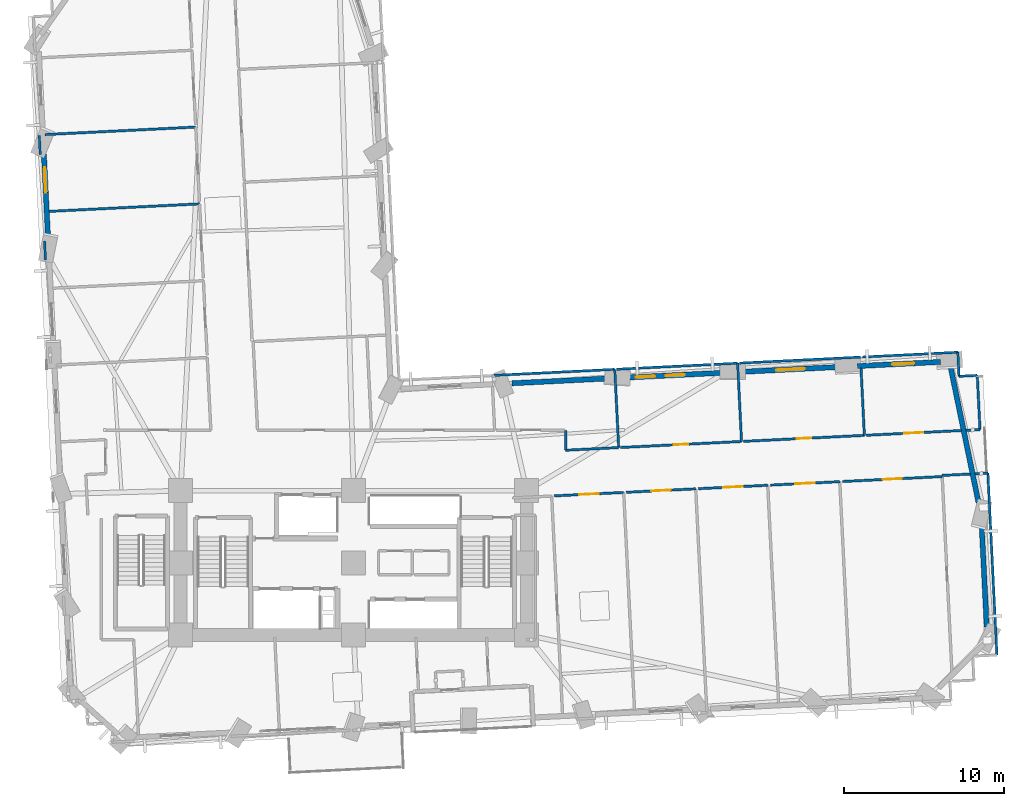
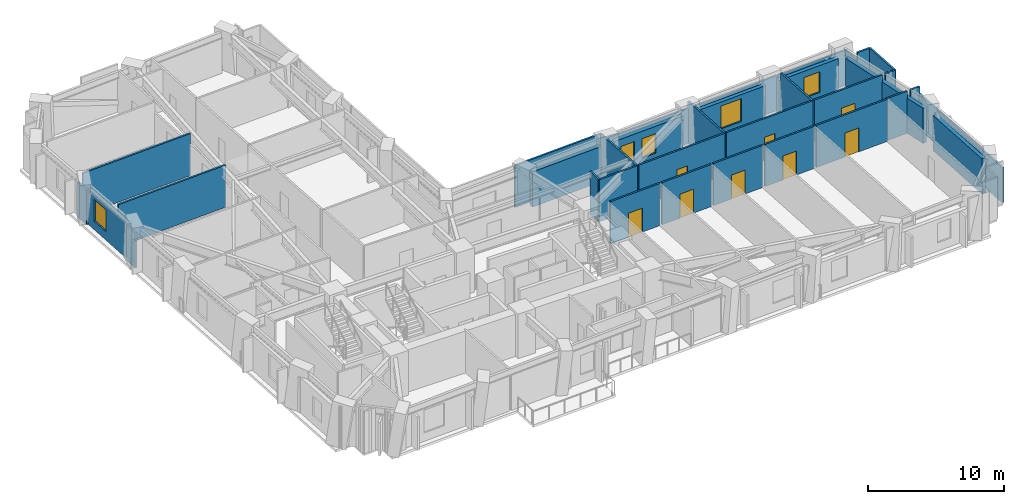
# One storey, part 9 of 15: 35 walls, 8 doors, 5 windows, 13 openings.
"""IFC4 building model written with IfcOpenShell, lengths in metres."""

import ifcopenshell
import ifcopenshell.guid

model = None  # the IFC model being written
_history = None  # IfcOwnerHistory: only IFC2X3 demands one
_inside = {}  # id of a spatial element -> (the spatial element, [elements in it])
_under = {}  # id of a project, library or spatial element -> (it, [spatial elements below it])
_declared = {}  # id of a project -> (the project, [libraries it declares])
_typed = {}  # id of a type object -> (the type object, [elements of that type])
_made_of = {}  # id of a material, layer set ... -> (it, [elements and type objects made of it])


def new_model(schema):
    """Start an empty IFC model of exactly this schema.

    Asked for "IFC4X3", IfcOpenShell would pick the latest addendum, in which some entities
    have other attributes; the version numbers below select the first issue.
    IFC2X3 requires an IfcOwnerHistory on every rooted entity: one is made here for all.
    """
    global model, _history
    if schema == "IFC4X3":
        model = ifcopenshell.file(schema_version=(4, 3, 0, 0))
    else:
        model = ifcopenshell.file(schema=schema)
    _inside.clear()
    _under.clear()
    _declared.clear()
    _typed.clear()
    _made_of.clear()
    _history = None
    if model.schema == "IFC2X3":
        org = make("IfcOrganization", Name="unknown")
        user = make(
            "IfcPersonAndOrganization",
            ThePerson=make("IfcPerson", FamilyName="unknown"),
            TheOrganization=org,
        )
        app = make(
            "IfcApplication",
            ApplicationDeveloper=org,
            Version="unknown",
            ApplicationFullName="unknown",
            ApplicationIdentifier="unknown",
        )
        _history = make(
            "IfcOwnerHistory",
            OwningUser=user,
            OwningApplication=app,
            ChangeAction="ADDED",
            CreationDate=0,
        )
    return model


def make(cls, **values):
    """One entity of the class cls with the attributes given. An attribute that is None is left unset."""
    return model.create_entity(
        cls, **{name: value for name, value in values.items() if value is not None}
    )


def rooted(cls, **values):
    """An entity with a GlobalId (a new one), such as an element, a storey or a relation."""
    return make(cls, GlobalId=ifcopenshell.guid.new(), OwnerHistory=_history, **values)


def si_unit(unit_type, name, prefix=None):
    """IfcSIUnit, for example si_unit("LENGTHUNIT", "METRE", prefix="MILLI")."""
    return make("IfcSIUnit", UnitType=unit_type, Prefix=prefix, Name=name)


def assignment(units):
    """IfcUnitAssignment: the units of a project."""
    return None if units is None else make("IfcUnitAssignment", Units=units)


def point(xyz):
    """IfcCartesianPoint."""
    return None if xyz is None else make("IfcCartesianPoint", Coordinates=xyz)


def direction(xyz):
    """IfcDirection."""
    return None if xyz is None else make("IfcDirection", DirectionRatios=xyz)


def frame(location, z_axis=None, x_axis=None):
    """IfcAxis2Placement3D, a coordinate frame: its origin and axes. An axis left out is left unset."""
    return make(
        "IfcAxis2Placement3D",
        Location=point(location),
        Axis=direction(z_axis),
        RefDirection=direction(x_axis),
    )


def frame_2d(location, x_axis=None):
    """IfcAxis2Placement2D, a coordinate frame in the plane: its origin and x axis."""
    return make(
        "IfcAxis2Placement2D", Location=point(location), RefDirection=direction(x_axis)
    )


def origin():
    """The frame at (0, 0, 0) with its axes left unset."""
    return frame((0.0, 0.0, 0.0))


def place(relative_to, where):
    """IfcLocalPlacement: puts the frame where relative to a parent placement (None: the world)."""
    return make(
        "IfcLocalPlacement", PlacementRelTo=relative_to, RelativePlacement=where
    )


def context(
    kind, dimensions, precision=None, world=None, true_north=None, identifier=None
):
    """IfcGeometricRepresentationContext, for example the 3D "Model" context."""
    return make(
        "IfcGeometricRepresentationContext",
        ContextIdentifier=identifier,
        ContextType=kind,
        CoordinateSpaceDimension=dimensions,
        Precision=precision,
        WorldCoordinateSystem=world,
        TrueNorth=true_north,
    )


def subcontext(parent, identifier, kind, view, scale=None):
    """IfcGeometricRepresentationSubContext, for example "Body" below "Model"."""
    return make(
        "IfcGeometricRepresentationSubContext",
        ContextIdentifier=identifier,
        ContextType=kind,
        ParentContext=parent,
        TargetScale=scale,
        TargetView=view,
    )


def project(units=None, contexts=None):
    """IfcProject with its units and contexts."""
    return rooted(
        "IfcProject",
        Name="project",
        RepresentationContexts=contexts,
        UnitsInContext=assignment(units),
    )


def spatial(cls, under=None, at=None, **own):
    """A site, building, storey or space (cls), placed at a placement, below another one or the project."""
    s = rooted(cls, ObjectPlacement=at, **own)
    if under is not None:
        _under.setdefault(under.id(), (under, []))[1].append(s)
    return s


def profile(cls, at=None, kind="AREA", **sizes):
    """A parametric profile (cls). Its sizes go by their IFC names, for example OverallWidth=200.0."""
    return make(cls, ProfileType=kind, Position=at, **sizes)


def rectangle(**sizes):
    """IfcRectangleProfileDef."""
    return profile("IfcRectangleProfileDef", **sizes)


def extrude(swept, where, along, depth):
    """IfcExtrudedAreaSolid: the profile swept, set in the frame where, extruded along a direction by depth."""
    return make(
        "IfcExtrudedAreaSolid",
        SweptArea=swept,
        Position=where,
        ExtrudedDirection=direction(along),
        Depth=depth,
    )


def shape(context_of_items, identifier, shape_type, items):
    """IfcShapeRepresentation: the items that make up one representation, for example the "Body"."""
    return make(
        "IfcShapeRepresentation",
        ContextOfItems=context_of_items,
        RepresentationIdentifier=identifier,
        RepresentationType=shape_type,
        Items=items,
    )


def material(Name=None, Category=None):
    """IfcMaterial."""
    return make("IfcMaterial", Name=Name, Category=Category)


def layer(
    of_material, thickness, ventilated=None, Name=None, Category=None, Priority=None
):
    """IfcMaterialLayer: one layer of a wall or slab, of a material (None: an air gap)."""
    return make(
        "IfcMaterialLayer",
        Material=of_material,
        LayerThickness=thickness,
        IsVentilated=ventilated,
        Name=Name,
        Category=Category,
        Priority=Priority,
    )


def layer_set(layers, Name=None):
    """IfcMaterialLayerSet."""
    return make("IfcMaterialLayerSet", MaterialLayers=layers, LayerSetName=Name)


def made_of(thing, what):
    """Note that an element or type object is made of a material, layer set ...; save() writes the relation."""
    if what is not None:
        _made_of.setdefault(what.id(), (what, []))[1].append(thing)
    return thing


def type_object(cls, material=None, **own):
    """A type object (cls), such as IfcWallType, which elements share."""
    return made_of(rooted(cls, **own), material)


def element(
    cls,
    number,
    at=None,
    inside=None,
    cuts=None,
    type_object=None,
    material=None,
    context=None,
    identifier="Body",
    shape_type=None,
    held_by="IfcProductDefinitionShape",
    body=None,
    shapes=None,
    **own,
):
    """One element of the class cls, such as IfcWall. Its Tag is "e" and its number.

    at: its placement. inside: the storey or other place that contains it. cuts: it is an
    opening in that element (IfcRelVoidsElement). A single representation is given by context,
    identifier, shape_type and body (its items); several are given by shapes. held_by: the class
    of the entity that holds the representations. save() writes the other relations.
    """
    e = rooted(cls, Tag="e%d" % number, ObjectPlacement=at, **own)
    if body is not None:
        shapes = [shape(context, identifier, shape_type, body)]
    if shapes is not None:
        e.Representation = make(held_by, Representations=shapes)
    if inside is not None:
        _inside.setdefault(inside.id(), (inside, []))[1].append(e)
    if cuts is not None:
        rooted(
            "IfcRelVoidsElement", RelatingBuildingElement=cuts, RelatedOpeningElement=e
        )
    if type_object is not None:
        _typed.setdefault(type_object.id(), (type_object, []))[1].append(e)
    return made_of(e, material)


def fill(opening, filler):
    """IfcRelFillsElement: the door or window that sits in an opening."""
    return rooted(
        "IfcRelFillsElement",
        RelatingOpeningElement=opening,
        RelatedBuildingElement=filler,
    )


def aggregate(whole, parts):
    """IfcRelAggregates: a whole, such as a stair, and the parts it consists of."""
    return rooted("IfcRelAggregates", RelatingObject=whole, RelatedObjects=parts)


def save(model, path):
    """Write the relations noted so far, then the file.

    IfcRelAggregates (storeys below a building ...), IfcRelContainedInSpatialStructure (elements
    in a storey), IfcRelDefinesByType, IfcRelAssociatesMaterial and IfcRelDeclares: one each for
    every whole, place, type object, material and project.
    """
    for whole, parts in _under.values():
        aggregate(whole, parts)
    for where, things in _inside.values():
        rooted(
            "IfcRelContainedInSpatialStructure",
            RelatedElements=things,
            RelatingStructure=where,
        )
    for kind, things in _typed.values():
        rooted("IfcRelDefinesByType", RelatedObjects=things, RelatingType=kind)
    for what, things in _made_of.values():
        rooted("IfcRelAssociatesMaterial", RelatedObjects=things, RelatingMaterial=what)
    for by, libraries in _declared.values():
        rooted("IfcRelDeclares", RelatingContext=by, RelatedDefinitions=libraries)
    model.write(path)


model = new_model("IFC4")

# Units and contexts
model_context = context("Model", 3, precision=1e-05, world=origin(), true_north=direction((0.0, 1.0)))
body_context = subcontext(model_context, "Body", "Model", "MODEL_VIEW")
ifc_project = project(units=[si_unit("LENGTHUNIT", "METRE"), si_unit("AREAUNIT", "SQUARE_METRE"), si_unit("VOLUMEUNIT", "CUBIC_METRE"), si_unit("PLANEANGLEUNIT", "RADIAN"), si_unit("MASSUNIT", "GRAM", prefix="KILO")], contexts=[model_context])

# Site, building, storey
site_placement = place(None, origin())
site = spatial("IfcSite", under=ifc_project, at=site_placement, CompositionType="ELEMENT")
building_placement = place(site_placement, origin())
building = spatial("IfcBuilding", under=site, at=building_placement, Name="Gaonmaruhae Medical Tower", CompositionType="ELEMENT")
storey_placement = place(building_placement, frame((0.0, 0.0, 35.0)))
storey = spatial("IfcBuildingStorey", under=building, at=storey_placement, Name="L07", CompositionType="ELEMENT", Elevation=35.0)

# Walls
ifc_material_1 = material(Name="Precast concrete C45/55", Category="concrete")
ifc_layer_1 = layer(ifc_material_1, 0.320068359375)
ifc_layer_set_1 = layer_set([ifc_layer_1], Name="Precast concrete C45/55")
wall_type_1 = type_object("IfcWallType", Name="EW-320 Lower Precast Masonry-Frame Facade Wall", PredefinedType="SOLIDWALL", material=ifc_layer_set_1)
wall_1_placement = place(storey_placement, frame((63.97998046875, 14.895263671875, 0.0), z_axis=(0.0, 0.0, 1.0), x_axis=(0.049712881396, -0.998763550308, 0.0)))
element("IfcWall", 1, at=wall_1_placement, inside=storey, type_object=wall_type_1, Name="L07 Precast Masonry-Frame Wall E01-E02", PredefinedType="SOLIDWALL", context=body_context, shape_type="SweptSolid", body=[
    extrude(rectangle(XDim=6.610107421875, YDim=0.320068359375, at=frame_2d((3.30517578125, 0.0))), origin(), (0.0, 0.0, 1.0), 3.1650390625),
])
wall_2_placement = place(storey_placement, frame((62.057861328125, 24.49365234375, 0.0), z_axis=(0.0, 0.0, 1.0), x_axis=(0.201776077259, -0.979431679417, 0.0)))
element("IfcWall", 2, at=wall_2_placement, inside=storey, type_object=wall_type_1, Name="L07 Precast Masonry-Frame Wall E02-E03", PredefinedType="SOLIDWALL", context=body_context, shape_type="SweptSolid", body=[
    extrude(rectangle(XDim=8.61376953125, YDim=0.320068359375, at=frame_2d((4.306884765625, 0.0))), origin(), (0.0, 0.0, 1.0), 3.1650390625),
])

# Wall, opening, window
wall_3_placement = place(storey_placement, frame((56.228759765625, 24.574951171875, 0.0), z_axis=(0.0, 0.0, 1.0), x_axis=(0.998762835783, 0.049727234574, 0.0)))
wall_3 = element("IfcWall", 3, at=wall_3_placement, inside=storey, type_object=wall_type_1, Name="L07 Precast Masonry-Frame Wall E03-EN01", PredefinedType="SOLIDWALL", context=body_context, shape_type="SweptSolid", body=[
    extrude(rectangle(XDim=5.208984375, YDim=0.320068359375, at=frame_2d((2.6044921875, 0.0))), origin(), (0.0, 0.0, 1.0), 3.1650390625),
])
opening_1_placement = place(wall_3_placement, frame((2.172119140625, 0.0, 0.75)))
opening_1 = element("IfcOpeningElement", 4, at=opening_1_placement, cuts=wall_3, Name="Opening WN-03", PredefinedType="OPENING", context=body_context, shape_type="SweptSolid", body=[
    extrude(rectangle(XDim=1.39990234375, YDim=1.85009765625, at=frame_2d((0.699951171875, 0.925048828125))), frame((0.0, 0.169921875, 0.0), z_axis=(0.0, -1.0, 0.0), x_axis=(1.0, 0.0, 0.0)), (0.0, 0.0, 1.0), 0.340087890625),
])
ifc_material_2 = material(Name="Anodised aluminium and Low-E double glazing", Category="aluminium")
window_type_1 = type_object("IfcWindowType", Name="WN-03 Isolation Ward Punched Window 1400x1850", PartitioningType="SINGLE_PANEL", PredefinedType="WINDOW", material=ifc_material_2)
window_1_placement = place(opening_1_placement, origin())
window_1 = element("IfcWindow", 5, at=window_1_placement, inside=storey, type_object=window_type_1, Name="L07 Modular Facade Window E03", OverallHeight=1.85009765625, OverallWidth=1.39990234375, PartitioningType="SINGLE_PANEL", PredefinedType="WINDOW", context=body_context, shape_type="SweptSolid", body=[
    extrude(rectangle(XDim=1.39990234375, YDim=1.85009765625, at=frame_2d((0.699951171875, 0.925048828125))), frame((0.0, 0.030029296875, 0.0), z_axis=(0.0, -1.0, 0.0), x_axis=(1.0, 0.0, 0.0)), (0.0, 0.0, 1.0), 0.06005859375),
])
fill(opening_1, window_1)

wall_4_placement = place(storey_placement, frame((49.0537109375, 24.2177734375, 0.0), z_axis=(0.0, 0.0, 1.0), x_axis=(0.998764939735, 0.049684959063, 0.0)))
wall_4 = element("IfcWall", 6, at=wall_4_placement, inside=storey, type_object=wall_type_1, Name="L07 Precast Masonry-Frame Wall EN01-EN02", PredefinedType="SOLIDWALL", context=body_context, shape_type="SweptSolid", body=[
    extrude(rectangle(XDim=6.024169921875, YDim=0.320068359375, at=frame_2d((3.01220703125, 0.0))), origin(), (0.0, 0.0, 1.0), 3.1650390625),
])
opening_2_placement = place(wall_4_placement, frame((2.108642578125, 0.0, 0.75)))
opening_2 = element("IfcOpeningElement", 7, at=opening_2_placement, cuts=wall_4, Name="Opening WN-04", PredefinedType="OPENING", context=body_context, shape_type="SweptSolid", body=[
    extrude(rectangle(XDim=1.800048828125, YDim=2.050048828125, at=frame_2d((0.89990234375, 1.02490234375))), frame((0.0, 0.169921875, 0.0), z_axis=(0.0, -1.0, 0.0), x_axis=(1.0, 0.0, 0.0)), (0.0, 0.0, 1.0), 0.340087890625),
])
window_type_2 = type_object("IfcWindowType", Name="WN-04 Clinic & Consult Punched Window 1800x2050", PartitioningType="SINGLE_PANEL", PredefinedType="WINDOW", material=ifc_material_2)
window_2_placement = place(opening_2_placement, origin())
window_2 = element("IfcWindow", 8, at=window_2_placement, inside=storey, type_object=window_type_2, Name="L07 Modular Facade Window EN01", OverallHeight=2.050048828125, OverallWidth=1.800048828125, PartitioningType="SINGLE_PANEL", PredefinedType="WINDOW", context=body_context, shape_type="SweptSolid", body=[
    extrude(rectangle(XDim=1.800048828125, YDim=2.050048828125, at=frame_2d((0.89990234375, 1.02490234375))), frame((0.0, 0.030029296875, 0.0), z_axis=(0.0, -1.0, 0.0), x_axis=(1.0, 0.0, 0.0)), (0.0, 0.0, 1.0), 0.06005859375),
])
fill(opening_2, window_2)

# Wall, openings, windows
wall_5_placement = place(storey_placement, frame((41.872314453125, 23.860107421875, 0.0), z_axis=(0.0, 0.0, 1.0), x_axis=(0.998762870305, 0.049726541212, 0.0)))
wall_5 = element("IfcWall", 9, at=wall_5_placement, inside=storey, type_object=wall_type_1, Name="L07 Precast Masonry-Frame Wall EN02-EN03", PredefinedType="SOLIDWALL", context=body_context, shape_type="SweptSolid", body=[
    extrude(rectangle(XDim=5.99951171875, YDim=0.320068359375, at=frame_2d((2.999755859375, 0.0))), origin(), (0.0, 0.0, 1.0), 3.1650390625),
])
opening_3_placement = place(wall_5_placement, frame((2.397705078125, 0.0, 0.75)))
opening_3 = element("IfcOpeningElement", 10, at=opening_3_placement, cuts=wall_5, Name="Opening WN-05", PredefinedType="OPENING", context=body_context, shape_type="SweptSolid", body=[
    extrude(rectangle(XDim=1.199951171875, YDim=1.75, at=frame_2d((0.60009765625, 0.875))), frame((0.0, 0.169921875, 0.0), z_axis=(0.0, -1.0, 0.0), x_axis=(1.0, 0.0, 0.0)), (0.0, 0.0, 1.0), 0.340087890625),
])
opening_4_placement = place(wall_5_placement, frame((0.53466796875, 0.0, 0.75)))
opening_4 = element("IfcOpeningElement", 11, at=opening_4_placement, cuts=wall_5, Name="Opening WN-05", PredefinedType="OPENING", context=body_context, shape_type="SweptSolid", body=[
    extrude(rectangle(XDim=1.199951171875, YDim=1.75, at=frame_2d((0.60009765625, 0.875))), frame((0.0, 0.169921875, 0.0), z_axis=(0.0, -1.0, 0.0), x_axis=(1.0, 0.0, 0.0)), (0.0, 0.0, 1.0), 0.340087890625),
])
window_type_3 = type_object("IfcWindowType", Name="WN-05 Support & Staff Punched Window 1200x1750", PartitioningType="SINGLE_PANEL", PredefinedType="WINDOW", material=ifc_material_2)
window_3_placement = place(opening_3_placement, origin())
window_3 = element("IfcWindow", 12, at=window_3_placement, inside=storey, type_object=window_type_3, Name="L07 Modular Facade Window EN02", OverallHeight=1.75, OverallWidth=1.199951171875, PartitioningType="SINGLE_PANEL", PredefinedType="WINDOW", context=body_context, shape_type="SweptSolid", body=[
    extrude(rectangle(XDim=1.199951171875, YDim=1.75, at=frame_2d((0.60009765625, 0.875))), frame((0.0, 0.030029296875, 0.0), z_axis=(0.0, -1.0, 0.0), x_axis=(1.0, 0.0, 0.0)), (0.0, 0.0, 1.0), 0.06005859375),
])
fill(opening_3, window_3)
window_4_placement = place(opening_4_placement, origin())
window_4 = element("IfcWindow", 13, at=window_4_placement, inside=storey, type_object=window_type_3, Name="L07 Modular Facade Window EN02B", OverallHeight=1.75, OverallWidth=1.199951171875, PartitioningType="SINGLE_PANEL", PredefinedType="WINDOW", context=body_context, shape_type="SweptSolid", body=[
    extrude(rectangle(XDim=1.199951171875, YDim=1.75, at=frame_2d((0.60009765625, 0.875))), frame((0.0, 0.030029296875, 0.0), z_axis=(0.0, -1.0, 0.0), x_axis=(1.0, 0.0, 0.0)), (0.0, 0.0, 1.0), 0.06005859375),
])
fill(opening_4, window_4)

# Wall
wall_6_placement = place(storey_placement, frame((34.684814453125, 23.502197265625, 0.0), z_axis=(0.0, 0.0, 1.0), x_axis=(0.99876177808, 0.049748473819, 0.0)))
element("IfcWall", 14, at=wall_6_placement, inside=storey, type_object=wall_type_1, Name="L07 Precast Masonry-Frame Wall EN03-EN04", PredefinedType="SOLIDWALL", context=body_context, shape_type="SweptSolid", body=[
    extrude(rectangle(XDim=5.987060546875, YDim=0.320068359375, at=frame_2d((2.99365234375, 0.0))), origin(), (0.0, 0.0, 1.0), 3.1650390625),
])

# Wall, opening, window
wall_7_placement = place(storey_placement, frame((5.73779296875, 32.39990234375, 0.0), z_axis=(0.0, 0.0, 1.0), x_axis=(-0.049773021821, 0.998760555037, 0.0)))
wall_7 = element("IfcWall", 15, at=wall_7_placement, inside=storey, type_object=wall_type_1, Name="L07 Precast Masonry-Frame Wall W02-W03", PredefinedType="SOLIDWALL", context=body_context, shape_type="SweptSolid", body=[
    extrude(rectangle(XDim=5.400390625, YDim=0.320068359375, at=frame_2d((2.7001953125, 0.0))), origin(), (0.0, 0.0, 1.0), 3.1650390625),
])
opening_5_placement = place(wall_7_placement, frame((2.99462890625, 0.0, 0.75)))
opening_5 = element("IfcOpeningElement", 16, at=opening_5_placement, cuts=wall_7, Name="Opening WN-01", PredefinedType="OPENING", context=body_context, shape_type="SweptSolid", body=[
    extrude(rectangle(XDim=1.60009765625, YDim=1.949951171875, at=frame_2d((0.800048828125, 0.97509765625))), frame((0.0, 0.169921875, 0.0), z_axis=(0.0, -1.0, 0.0), x_axis=(1.0, 0.0, 0.0)), (0.0, 0.0, 1.0), 0.340087890625),
])
window_type_4 = type_object("IfcWindowType", Name="WN-01 Ward Punched Acoustic Window 1600x1950", PartitioningType="SINGLE_PANEL", PredefinedType="WINDOW", material=ifc_material_2)
window_5_placement = place(opening_5_placement, origin())
window_5 = element("IfcWindow", 17, at=window_5_placement, inside=storey, type_object=window_type_4, Name="L07 Modular Facade Window W02", OverallHeight=1.949951171875, OverallWidth=1.60009765625, PartitioningType="SINGLE_PANEL", PredefinedType="WINDOW", context=body_context, shape_type="SweptSolid", body=[
    extrude(rectangle(XDim=1.60009765625, YDim=1.949951171875, at=frame_2d((0.800048828125, 0.97509765625))), frame((0.0, 0.030029296875, 0.0), z_axis=(0.0, -1.0, 0.0), x_axis=(1.0, 0.0, 0.0)), (0.0, 0.0, 1.0), 0.06005859375),
])
fill(opening_5, window_5)

# Wall, opening, door
ifc_material_3 = material(Name="Gypsum board partition", Category="gypsum")
ifc_layer_2 = layer(ifc_material_3, 0.14990234375)
ifc_layer_set_2 = layer_set([ifc_layer_2], Name="Gypsum board partition")
wall_type_2 = type_object("IfcWallType", Name="PW-150 Rated Clinical Corridor Partition", PredefinedType="PARTITIONING", material=ifc_layer_set_2)
wall_8_placement = place(storey_placement, frame((37.319091796875, 16.47509765625, 0.0), z_axis=(0.0, 0.0, 1.0), x_axis=(0.99877357427, 0.049511082997, 0.0)))
wall_8 = element("IfcWall", 18, at=wall_8_placement, inside=storey, type_object=wall_type_2, Name="L07 Interior Partition L07-SUP08-35", PredefinedType="PARTITIONING", context=body_context, shape_type="SweptSolid", body=[
    extrude(rectangle(XDim=4.33935546875, YDim=0.14990234375, at=frame_2d((2.169677734375, 0.0))), origin(), (0.0, 0.0, 1.0), 3.780029296875),
])
opening_6_placement = place(wall_8_placement, frame((1.569580078125, 0.0, 0.0)))
opening_6 = element("IfcOpeningElement", 19, at=opening_6_placement, cuts=wall_8, Name="Opening CD-02", PredefinedType="OPENING", context=body_context, shape_type="SweptSolid", body=[
    extrude(rectangle(XDim=1.199951171875, YDim=2.14990234375, at=frame_2d((0.60009765625, 1.074951171875))), frame((0.0, 0.0849609375, 0.0), z_axis=(0.0, -1.0, 0.0), x_axis=(1.0, 0.0, 0.0)), (0.0, 0.0, 1.0), 0.169921875),
])
ifc_material_4 = material(Name="Antimicrobial laminate timber fire door", Category="wood")
door_type_1 = type_object("IfcDoorType", Name="CD-02 Clinical Treatment & Procedure Door 1200x2150", OperationType="NOTDEFINED", PredefinedType="DOOR", material=ifc_material_4)
door_1_placement = place(opening_6_placement, origin())
door_1 = element("IfcDoor", 20, at=door_1_placement, inside=storey, type_object=door_type_1, Name="L07 Clinical Biomedical Charting Office Door", OperationType="SINGLE_SWING_RIGHT", OverallHeight=2.14990234375, OverallWidth=1.199951171875, PredefinedType="DOOR", context=body_context, shape_type="SweptSolid", body=[
    extrude(rectangle(XDim=1.199951171875, YDim=2.14990234375, at=frame_2d((0.60009765625, 1.074951171875))), frame((0.0, 0.02490234375, 0.0), z_axis=(0.0, -1.0, 0.0), x_axis=(1.0, 0.0, 0.0)), (0.0, 0.0, 1.0), 0.050048828125),
])
fill(opening_6, door_1)

wall_9_placement = place(storey_placement, frame((41.81298828125, 16.697998046875, 0.0), z_axis=(0.0, 0.0, 1.0), x_axis=(0.998760181767, 0.049780511425, 0.0)))
wall_9 = element("IfcWall", 21, at=wall_9_placement, inside=storey, type_object=wall_type_2, Name="L07 Interior Partition L07-SUP09-38", PredefinedType="PARTITIONING", context=body_context, shape_type="SweptSolid", body=[
    extrude(rectangle(XDim=4.34033203125, YDim=0.14990234375, at=frame_2d((2.170166015625, 0.0))), origin(), (0.0, 0.0, 1.0), 3.780029296875),
])
opening_7_placement = place(wall_9_placement, frame((1.5703125, 0.0, 0.0)))
opening_7 = element("IfcOpeningElement", 22, at=opening_7_placement, cuts=wall_9, Name="Opening CD-02", PredefinedType="OPENING", context=body_context, shape_type="SweptSolid", body=[
    extrude(rectangle(XDim=1.199951171875, YDim=2.14990234375, at=frame_2d((0.60009765625, 1.074951171875))), frame((0.0, 0.0849609375, 0.0), z_axis=(0.0, -1.0, 0.0), x_axis=(1.0, 0.0, 0.0)), (0.0, 0.0, 1.0), 0.169921875),
])
door_2_placement = place(opening_7_placement, origin())
door_2 = element("IfcDoor", 23, at=door_2_placement, inside=storey, type_object=door_type_1, Name="L07 Clinical Biomedical Charting Office Door", OperationType="SINGLE_SWING_LEFT", OverallHeight=2.14990234375, OverallWidth=1.199951171875, PredefinedType="DOOR", context=body_context, shape_type="SweptSolid", body=[
    extrude(rectangle(XDim=1.199951171875, YDim=2.14990234375, at=frame_2d((0.60009765625, 1.074951171875))), frame((0.0, 0.02490234375, 0.0), z_axis=(0.0, -1.0, 0.0), x_axis=(1.0, 0.0, 0.0)), (0.0, 0.0, 1.0), 0.050048828125),
])
fill(opening_7, door_2)

wall_10_placement = place(storey_placement, frame((46.306884765625, 16.922119140625, 0.0), z_axis=(0.0, 0.0, 1.0), x_axis=(0.998763115904, 0.049721608068, 0.0)))
wall_10 = element("IfcWall", 24, at=wall_10_placement, inside=storey, type_object=wall_type_2, Name="L07 Interior Partition L07-SUP10-41", PredefinedType="PARTITIONING", context=body_context, shape_type="SweptSolid", body=[
    extrude(rectangle(XDim=4.340576171875, YDim=0.14990234375, at=frame_2d((2.17041015625, 0.0))), origin(), (0.0, 0.0, 1.0), 3.780029296875),
])
opening_8_placement = place(wall_10_placement, frame((1.5703125, 0.0, 0.0)))
opening_8 = element("IfcOpeningElement", 25, at=opening_8_placement, cuts=wall_10, Name="Opening CD-02", PredefinedType="OPENING", context=body_context, shape_type="SweptSolid", body=[
    extrude(rectangle(XDim=1.199951171875, YDim=2.14990234375, at=frame_2d((0.60009765625, 1.074951171875))), frame((0.0, 0.0849609375, 0.0), z_axis=(0.0, -1.0, 0.0), x_axis=(1.0, 0.0, 0.0)), (0.0, 0.0, 1.0), 0.169921875),
])
door_3_placement = place(opening_8_placement, origin())
door_3 = element("IfcDoor", 26, at=door_3_placement, inside=storey, type_object=door_type_1, Name="L07 Clinical Biomedical Charting Office Door", OperationType="SINGLE_SWING_RIGHT", OverallHeight=2.14990234375, OverallWidth=1.199951171875, PredefinedType="DOOR", context=body_context, shape_type="SweptSolid", body=[
    extrude(rectangle(XDim=1.199951171875, YDim=2.14990234375, at=frame_2d((0.60009765625, 1.074951171875))), frame((0.0, 0.02490234375, 0.0), z_axis=(0.0, -1.0, 0.0), x_axis=(1.0, 0.0, 0.0)), (0.0, 0.0, 1.0), 0.050048828125),
])
fill(opening_8, door_3)

wall_11_placement = place(storey_placement, frame((50.802001953125, 17.14599609375, 0.0), z_axis=(0.0, 0.0, 1.0), x_axis=(0.998759624014, 0.049791700499, 0.0)))
wall_11 = element("IfcWall", 27, at=wall_11_placement, inside=storey, type_object=wall_type_2, Name="L07 Interior Partition L07-SUP11-43", PredefinedType="PARTITIONING", context=body_context, shape_type="SweptSolid", body=[
    extrude(rectangle(XDim=4.33935546875, YDim=0.14990234375, at=frame_2d((2.169677734375, 0.0))), origin(), (0.0, 0.0, 1.0), 3.780029296875),
])
opening_9_placement = place(wall_11_placement, frame((1.569580078125, 0.0, 0.0)))
opening_9 = element("IfcOpeningElement", 28, at=opening_9_placement, cuts=wall_11, Name="Opening CD-02", PredefinedType="OPENING", context=body_context, shape_type="SweptSolid", body=[
    extrude(rectangle(XDim=1.199951171875, YDim=2.14990234375, at=frame_2d((0.60009765625, 1.074951171875))), frame((0.0, 0.0849609375, 0.0), z_axis=(0.0, -1.0, 0.0), x_axis=(1.0, 0.0, 0.0)), (0.0, 0.0, 1.0), 0.169921875),
])
door_4_placement = place(opening_9_placement, origin())
door_4 = element("IfcDoor", 29, at=door_4_placement, inside=storey, type_object=door_type_1, Name="L07 Clinical Biomedical Charting Office Door", OperationType="SINGLE_SWING_RIGHT", OverallHeight=2.14990234375, OverallWidth=1.199951171875, PredefinedType="DOOR", context=body_context, shape_type="SweptSolid", body=[
    extrude(rectangle(XDim=1.199951171875, YDim=2.14990234375, at=frame_2d((0.60009765625, 1.074951171875))), frame((0.0, 0.02490234375, 0.0), z_axis=(0.0, -1.0, 0.0), x_axis=(1.0, 0.0, 0.0)), (0.0, 0.0, 1.0), 0.050048828125),
])
fill(opening_9, door_4)

wall_12_placement = place(storey_placement, frame((55.2958984375, 17.3701171875, 0.0), z_axis=(0.0, 0.0, 1.0), x_axis=(0.998767026312, 0.049642996999, 0.0)))
wall_12 = element("IfcWall", 30, at=wall_12_placement, inside=storey, type_object=wall_type_2, Name="L07 Interior Partition L07-SUP12-47", PredefinedType="PARTITIONING", context=body_context, shape_type="SweptSolid", body=[
    extrude(rectangle(XDim=6.240966796875, YDim=0.14990234375, at=frame_2d((3.12060546875, 0.0))), origin(), (0.0, 0.0, 1.0), 3.780029296875),
])
opening_10_placement = place(wall_12_placement, frame((2.5205078125, 0.0, 0.0)))
opening_10 = element("IfcOpeningElement", 31, at=opening_10_placement, cuts=wall_12, Name="Opening CD-02", PredefinedType="OPENING", context=body_context, shape_type="SweptSolid", body=[
    extrude(rectangle(XDim=1.199951171875, YDim=2.14990234375, at=frame_2d((0.60009765625, 1.074951171875))), frame((0.0, 0.0849609375, 0.0), z_axis=(0.0, -1.0, 0.0), x_axis=(1.0, 0.0, 0.0)), (0.0, 0.0, 1.0), 0.169921875),
])
door_5_placement = place(opening_10_placement, origin())
door_5 = element("IfcDoor", 32, at=door_5_placement, inside=storey, type_object=door_type_1, Name="L07 Clinical Biomedical Charting Office Door", OperationType="SINGLE_SWING_LEFT", OverallHeight=2.14990234375, OverallWidth=1.199951171875, PredefinedType="DOOR", context=body_context, shape_type="SweptSolid", body=[
    extrude(rectangle(XDim=1.199951171875, YDim=2.14990234375, at=frame_2d((0.60009765625, 1.074951171875))), frame((0.0, 0.02490234375, 0.0), z_axis=(0.0, -1.0, 0.0), x_axis=(1.0, 0.0, 0.0)), (0.0, 0.0, 1.0), 0.050048828125),
])
fill(opening_10, door_5)

# Walls
wall_13_placement = place(storey_placement, frame((5.781982421875, 34.22802734375, 0.0), z_axis=(0.0, 0.0, 1.0), x_axis=(0.998758474734, 0.049814748279, 0.0)))
element("IfcWall", 33, at=wall_13_placement, inside=storey, type_object=wall_type_2, Name="L07 Interior Partition L07-WOF16-61", PredefinedType="PARTITIONING", context=body_context, shape_type="SweptSolid", body=[
    extrude(rectangle(XDim=9.414794921875, YDim=0.14990234375, at=frame_2d((4.70751953125, 0.0))), origin(), (0.0, 0.0, 1.0), 3.780029296875),
])
wall_14_placement = place(storey_placement, frame((5.568115234375, 31.181884765625, 0.0), z_axis=(0.0, 0.0, 1.0), x_axis=(-0.049735941488, 0.998762402238, 0.0)))
element("IfcWall", 34, at=wall_14_placement, inside=storey, type_object=wall_type_2, Name="L07 Interior Partition L07-WOF16-63", PredefinedType="PARTITIONING", context=body_context, shape_type="SweptSolid", body=[
    extrude(rectangle(XDim=1.20751953125, YDim=0.14990234375, at=frame_2d((0.603759765625, 0.0))), origin(), (0.0, 0.0, 1.0), 3.1650390625),
])
wall_15_placement = place(storey_placement, frame((5.54296875, 39.02197265625, 0.0), z_axis=(0.0, 0.0, 1.0), x_axis=(0.998758474734, 0.049814748279, 0.0)))
element("IfcWall", 35, at=wall_15_placement, inside=storey, type_object=wall_type_2, Name="L07 Interior Partition L07-WOF17-64", PredefinedType="PARTITIONING", context=body_context, shape_type="SweptSolid", body=[
    extrude(rectangle(XDim=9.414794921875, YDim=0.14990234375, at=frame_2d((4.70751953125, 0.0))), origin(), (0.0, 0.0, 1.0), 3.780029296875),
])
wall_16_placement = place(storey_placement, frame((5.239990234375, 37.781982421875, 0.0), z_axis=(0.0, 0.0, 1.0), x_axis=(-0.049630753106, 0.998767634811, 0.0)))
element("IfcWall", 36, at=wall_16_placement, inside=storey, type_object=wall_type_2, Name="L07 Interior Partition L07-WOF17-66", PredefinedType="PARTITIONING", context=body_context, shape_type="SweptSolid", body=[
    extrude(rectangle(XDim=1.1904296875, YDim=0.14990234375, at=frame_2d((0.59521484375, 0.0))), origin(), (0.0, 0.0, 1.0), 3.1650390625),
])
wall_17_placement = place(storey_placement, frame((33.549072265625, 23.99609375, 0.0), z_axis=(0.0, 0.0, 1.0), x_axis=(0.998761346761, 0.049757132311, 0.0)))
element("IfcWall", 37, at=wall_17_placement, inside=storey, type_object=wall_type_2, Name="L07 Interior Partition L07-IE03-86", PredefinedType="PARTITIONING", context=body_context, shape_type="SweptSolid", body=[
    extrude(rectangle(XDim=7.55615234375, YDim=0.14990234375, at=frame_2d((3.778076171875, 0.0))), origin(), (0.0, 0.0, 1.0), 3.780029296875),
])
wall_18_placement = place(storey_placement, frame((41.095947265625, 24.3720703125, 0.0), z_axis=(0.0, 0.0, 1.0), x_axis=(0.04972596089, -0.998762899198, 0.0)))
element("IfcWall", 38, at=wall_18_placement, inside=storey, type_object=wall_type_2, Name="L07 Interior Partition L07-IE03-87", PredefinedType="PARTITIONING", context=body_context, shape_type="SweptSolid", body=[
    extrude(rectangle(XDim=4.89013671875, YDim=0.14990234375, at=frame_2d((2.445068359375, 0.0))), origin(), (0.0, 0.0, 1.0), 3.780029296875),
])
wall_19_placement = place(storey_placement, frame((41.339111328125, 19.488037109375, 0.0), z_axis=(0.0, 0.0, 1.0), x_axis=(-0.998758578868, -0.049812660419, 0.0)))
element("IfcWall", 39, at=wall_19_placement, inside=storey, type_object=wall_type_2, Name="L07 Interior Partition L07-IE03-88", PredefinedType="PARTITIONING", context=body_context, shape_type="SweptSolid", body=[
    extrude(rectangle(XDim=3.313232421875, YDim=0.14990234375, at=frame_2d((1.65673828125, 0.0))), origin(), (0.0, 0.0, 1.0), 3.780029296875),
])
wall_20_placement = place(storey_placement, frame((38.030029296875, 19.322998046875, 0.0), z_axis=(0.0, 0.0, 1.0), x_axis=(0.0, 1.0, 0.0)))
element("IfcWall", 40, at=wall_20_placement, inside=storey, type_object=wall_type_2, Name="L07 Interior Partition L07-IE03-89", PredefinedType="PARTITIONING", context=body_context, shape_type="SweptSolid", body=[
    extrude(rectangle(XDim=1.22998046875, YDim=0.14990234375, at=frame_2d((0.614990234375, 0.0))), origin(), (0.0, 0.0, 1.0), 3.780029296875),
])

# Wall, opening, door
wall_21_placement = place(storey_placement, frame((49.0048828125, 19.8701171875, 0.0), z_axis=(0.0, 0.0, 1.0), x_axis=(-0.998759420147, -0.049795789648, 0.0)))
wall_21 = element("IfcWall", 41, at=wall_21_placement, inside=storey, type_object=wall_type_2, Name="L07 Interior Partition L07-IE04-90", PredefinedType="PARTITIONING", context=body_context, shape_type="SweptSolid", body=[
    extrude(rectangle(XDim=7.55517578125, YDim=0.14990234375, at=frame_2d((3.777587890625, 0.0))), origin(), (0.0, 0.0, 1.0), 3.780029296875),
])
opening_11_placement = place(wall_21_placement, frame((3.317626953125, 0.0, 0.0)))
opening_11 = element("IfcOpeningElement", 42, at=opening_11_placement, cuts=wall_21, Name="Opening UD-01", PredefinedType="OPENING", context=body_context, shape_type="SweptSolid", body=[
    extrude(rectangle(XDim=0.919921875, YDim=2.10009765625, at=frame_2d((0.4599609375, 1.050048828125))), frame((0.0, 0.0849609375, 0.0), z_axis=(0.0, -1.0, 0.0), x_axis=(1.0, 0.0, 0.0)), (0.0, 0.0, 1.0), 0.169921875),
])
ifc_material_5 = material(Name="Powder-coated steel utility door", Category="steel")
door_type_2 = type_object("IfcDoorType", Name="UD-01 Toilet, Utility & Housekeeping Door 920x2100", OperationType="NOTDEFINED", PredefinedType="DOOR", material=ifc_material_5)
door_6_placement = place(opening_11_placement, origin())
door_6 = element("IfcDoor", 43, at=door_6_placement, inside=storey, type_object=door_type_2, Name="L07 Accessible Public Toilet Door", OperationType="SINGLE_SWING_RIGHT", OverallHeight=2.10009765625, OverallWidth=0.919921875, PredefinedType="DOOR", context=body_context, shape_type="SweptSolid", body=[
    extrude(rectangle(XDim=0.919921875, YDim=2.10009765625, at=frame_2d((0.4599609375, 1.050048828125))), frame((0.0, 0.02490234375, 0.0), z_axis=(0.0, -1.0, 0.0), x_axis=(1.0, 0.0, 0.0)), (0.0, 0.0, 1.0), 0.050048828125),
])
fill(opening_11, door_6)

# Walls
wall_22_placement = place(storey_placement, frame((41.215087890625, 24.3779296875, 0.0), z_axis=(0.0, 0.0, 1.0), x_axis=(0.998761346761, 0.049757132311, 0.0)))
element("IfcWall", 44, at=wall_22_placement, inside=storey, type_object=wall_type_2, Name="L07 Interior Partition L07-IE04-91", PredefinedType="PARTITIONING", context=body_context, shape_type="SweptSolid", body=[
    extrude(rectangle(XDim=7.55615234375, YDim=0.14990234375, at=frame_2d((3.778076171875, 0.0))), origin(), (0.0, 0.0, 1.0), 3.1650390625),
])
wall_23_placement = place(storey_placement, frame((48.761962890625, 24.75390625, 0.0), z_axis=(0.0, 0.0, 1.0), x_axis=(0.049678635673, -0.99876525428, 0.0)))
element("IfcWall", 45, at=wall_23_placement, inside=storey, type_object=wall_type_2, Name="L07 Interior Partition L07-IE04-92", PredefinedType="PARTITIONING", context=body_context, shape_type="SweptSolid", body=[
    extrude(rectangle(XDim=4.889892578125, YDim=0.14990234375, at=frame_2d((2.44482421875, 0.0))), origin(), (0.0, 0.0, 1.0), 3.780029296875),
])

# Wall, opening, door
wall_24_placement = place(storey_placement, frame((56.6708984375, 20.2509765625, 0.0), z_axis=(0.0, 0.0, 1.0), x_axis=(-0.998767442719, -0.049634618611, 0.0)))
wall_24 = element("IfcWall", 46, at=wall_24_placement, inside=storey, type_object=wall_type_2, Name="L07 Interior Partition L07-IE05-93", PredefinedType="PARTITIONING", context=body_context, shape_type="SweptSolid", body=[
    extrude(rectangle(XDim=7.55517578125, YDim=0.14990234375, at=frame_2d((3.777587890625, 0.0))), origin(), (0.0, 0.0, 1.0), 3.780029296875),
])
opening_12_placement = place(wall_24_placement, frame((3.317626953125, 0.0, 0.0)))
opening_12 = element("IfcOpeningElement", 47, at=opening_12_placement, cuts=wall_24, Name="Opening UD-01", PredefinedType="OPENING", context=body_context, shape_type="SweptSolid", body=[
    extrude(rectangle(XDim=0.919921875, YDim=2.10009765625, at=frame_2d((0.4599609375, 1.050048828125))), frame((0.0, 0.0849609375, 0.0), z_axis=(0.0, -1.0, 0.0), x_axis=(1.0, 0.0, 0.0)), (0.0, 0.0, 1.0), 0.169921875),
])
door_7_placement = place(opening_12_placement, origin())
door_7 = element("IfcDoor", 48, at=door_7_placement, inside=storey, type_object=door_type_2, Name="L07 Ward Housekeeping and Linen Store Door", OperationType="SINGLE_SWING_RIGHT", OverallHeight=2.10009765625, OverallWidth=0.919921875, PredefinedType="DOOR", context=body_context, shape_type="SweptSolid", body=[
    extrude(rectangle(XDim=0.919921875, YDim=2.10009765625, at=frame_2d((0.4599609375, 1.050048828125))), frame((0.0, 0.02490234375, 0.0), z_axis=(0.0, -1.0, 0.0), x_axis=(1.0, 0.0, 0.0)), (0.0, 0.0, 1.0), 0.050048828125),
])
fill(opening_12, door_7)

# Walls
wall_25_placement = place(storey_placement, frame((48.881103515625, 24.760009765625, 0.0), z_axis=(0.0, 0.0, 1.0), x_axis=(0.998767761094, 0.049628211731, 0.0)))
element("IfcWall", 49, at=wall_25_placement, inside=storey, type_object=wall_type_2, Name="L07 Interior Partition L07-IE05-94", PredefinedType="PARTITIONING", context=body_context, shape_type="SweptSolid", body=[
    extrude(rectangle(XDim=7.55615234375, YDim=0.14990234375, at=frame_2d((3.778076171875, 0.0))), origin(), (0.0, 0.0, 1.0), 3.1650390625),
])
wall_26_placement = place(storey_placement, frame((56.4619140625, 24.450927734375, 0.0), z_axis=(0.0, 0.0, 1.0), x_axis=(0.04969727744, -0.998764326863, 0.0)))
element("IfcWall", 50, at=wall_26_placement, inside=storey, type_object=wall_type_2, Name="L07 Interior Partition L07-IE05-95", PredefinedType="PARTITIONING", context=body_context, shape_type="SweptSolid", body=[
    extrude(rectangle(XDim=4.205078125, YDim=0.14990234375, at=frame_2d((2.1025390625, 0.0))), origin(), (0.0, 0.0, 1.0), 3.780029296875),
])
wall_27_placement = place(storey_placement, frame((62.5791015625, 23.93994140625, 0.0), z_axis=(0.0, 0.0, 1.0), x_axis=(0.998784723145, 0.049285665377, 0.0)))
element("IfcWall", 51, at=wall_27_placement, inside=storey, type_object=wall_type_2, Name="L07 Interior Partition L07-IE06-96", PredefinedType="PARTITIONING", context=body_context, shape_type="SweptSolid", body=[
    extrude(rectangle(XDim=1.139404296875, YDim=0.14990234375, at=frame_2d((0.56982421875, 0.0))), origin(), (0.0, 0.0, 1.0), 3.780029296875),
])
wall_28_placement = place(storey_placement, frame((63.717041015625, 23.99609375, 0.0), z_axis=(0.0, 0.0, 1.0), x_axis=(0.0498477983, -0.998756825761, 0.0)))
element("IfcWall", 52, at=wall_28_placement, inside=storey, type_object=wall_type_2, Name="L07 Interior Partition L07-IE06-97", PredefinedType="PARTITIONING", context=body_context, shape_type="SweptSolid", body=[
    extrude(rectangle(XDim=3.38916015625, YDim=0.14990234375, at=frame_2d((1.694580078125, 0.0))), origin(), (0.0, 0.0, 1.0), 3.780029296875),
])
wall_29_placement = place(storey_placement, frame((63.885986328125, 20.611083984375, 0.0), z_axis=(0.0, 0.0, 1.0), x_axis=(-0.998744736042, -0.05008944229, 0.0)))
element("IfcWall", 53, at=wall_29_placement, inside=storey, type_object=wall_type_2, Name="L07 Interior Partition L07-IE06-98", PredefinedType="PARTITIONING", context=body_context, shape_type="SweptSolid", body=[
    extrude(rectangle(XDim=0.88232421875, YDim=0.14990234375, at=frame_2d((0.441162109375, 0.0))), origin(), (0.0, 0.0, 1.0), 3.780029296875),
])

# Wall, opening, door
wall_30_placement = place(storey_placement, frame((62.73193359375, 20.552978515625, 0.0), z_axis=(0.0, 0.0, 1.0), x_axis=(-0.998761941601, -0.049745190812, 0.0)))
wall_30 = element("IfcWall", 54, at=wall_30_placement, inside=storey, type_object=wall_type_2, Name="L07 Interior Partition L07-IE06-99", PredefinedType="PARTITIONING", context=body_context, shape_type="SweptSolid", body=[
    extrude(rectangle(XDim=5.9482421875, YDim=0.14990234375, at=frame_2d((2.97412109375, 0.0))), origin(), (0.0, 0.0, 1.0), 3.780029296875),
])
opening_13_placement = place(wall_30_placement, frame((2.374267578125, 0.0, 0.0)))
opening_13 = element("IfcOpeningElement", 55, at=opening_13_placement, cuts=wall_30, Name="Opening CD-02", PredefinedType="OPENING", context=body_context, shape_type="SweptSolid", body=[
    extrude(rectangle(XDim=1.199951171875, YDim=2.14990234375, at=frame_2d((0.60009765625, 1.074951171875))), frame((0.0, 0.0849609375, 0.0), z_axis=(0.0, -1.0, 0.0), x_axis=(1.0, 0.0, 0.0)), (0.0, 0.0, 1.0), 0.169921875),
])
door_8_placement = place(opening_13_placement, origin())
door_8 = element("IfcDoor", 56, at=door_8_placement, inside=storey, type_object=door_type_1, Name="L07 Multidisciplinary Clinical Consultation Room Door", OperationType="SINGLE_SWING_RIGHT", OverallHeight=2.14990234375, OverallWidth=1.199951171875, PredefinedType="DOOR", context=body_context, shape_type="SweptSolid", body=[
    extrude(rectangle(XDim=1.199951171875, YDim=2.14990234375, at=frame_2d((0.60009765625, 1.074951171875))), frame((0.0, 0.02490234375, 0.0), z_axis=(0.0, -1.0, 0.0), x_axis=(1.0, 0.0, 0.0)), (0.0, 0.0, 1.0), 0.050048828125),
])
fill(opening_13, door_8)

# Walls
wall_31_placement = place(storey_placement, frame((56.547119140625, 25.14111328125, 0.0), z_axis=(0.0, 0.0, 1.0), x_axis=(0.998760390254, 0.049776328315, 0.0)))
element("IfcWall", 57, at=wall_31_placement, inside=storey, type_object=wall_type_2, Name="L07 Interior Partition L07-IE06-100", PredefinedType="PARTITIONING", context=body_context, shape_type="SweptSolid", body=[
    extrude(rectangle(XDim=5.964111328125, YDim=0.14990234375, at=frame_2d((2.98193359375, 0.0))), origin(), (0.0, 0.0, 1.0), 3.1650390625),
])
wall_32_placement = place(storey_placement, frame((62.50390625, 25.43798828125, 0.0), z_axis=(0.0, 0.0, 1.0), x_axis=(0.050132450143, -0.998742578167, 0.0)))
element("IfcWall", 58, at=wall_32_placement, inside=storey, type_object=wall_type_2, Name="L07 Interior Partition L07-IE06-101", PredefinedType="PARTITIONING", context=body_context, shape_type="SweptSolid", body=[
    extrude(rectangle(XDim=1.5, YDim=0.14990234375, at=frame_2d((0.75, 0.0))), origin(), (0.0, 0.0, 1.0), 3.1650390625),
])
wall_33_placement = place(storey_placement, frame((61.52587890625, 17.75, 0.0), z_axis=(0.0, 0.0, 1.0), x_axis=(0.998762652261, 0.049730920445, 0.0)))
element("IfcWall", 59, at=wall_33_placement, inside=storey, type_object=wall_type_2, Name="L07 Interior Partition L07-RM02-116", PredefinedType="PARTITIONING", context=body_context, shape_type="SweptSolid", body=[
    extrude(rectangle(XDim=1.767333984375, YDim=0.14990234375, at=frame_2d((0.8837890625, 0.0))), origin(), (0.0, 0.0, 1.0), 3.780029296875),
])
wall_34_placement = place(storey_placement, frame((63.56396484375, 17.85107421875, 0.0), z_axis=(0.0, 0.0, 1.0), x_axis=(0.998745640649, 0.050071401859, 0.0)))
element("IfcWall", 60, at=wall_34_placement, inside=storey, type_object=wall_type_2, Name="L07 Interior Partition L07-RM02-117", PredefinedType="PARTITIONING", context=body_context, shape_type="SweptSolid", body=[
    extrude(rectangle(XDim=0.819091796875, YDim=0.14990234375, at=frame_2d((0.40966796875, 0.0))), origin(), (0.0, 0.0, 1.0), 3.780029296875),
])
wall_35_placement = place(storey_placement, frame((64.382080078125, 17.89208984375, 0.0), z_axis=(0.0, 0.0, 1.0), x_axis=(0.049685949833, -0.998764890447, 0.0)))
element("IfcWall", 61, at=wall_35_placement, inside=storey, type_object=wall_type_2, Name="L07 Interior Partition L07-RM02-118", PredefinedType="PARTITIONING", context=body_context, shape_type="SweptSolid", body=[
    extrude(rectangle(XDim=11.370361328125, YDim=0.14990234375, at=frame_2d((5.68505859375, 0.0))), origin(), (0.0, 0.0, 1.0), 3.1650390625),
])

save(model, "model.ifc")
